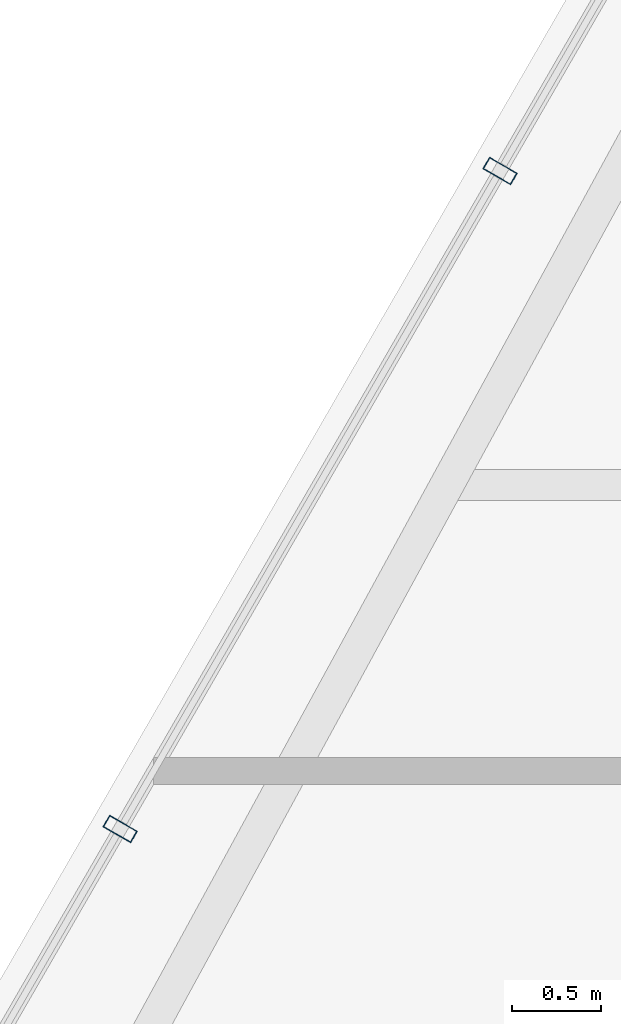
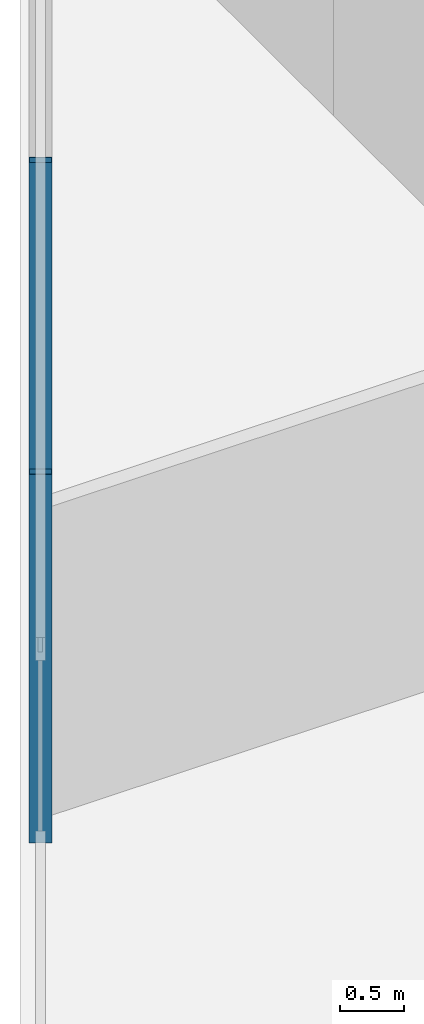
# One storey, part 4 of 34: 2 members, 1 element without a shape of its own.
"""IFC4 building model written with IfcOpenShell, lengths in metres."""

from ifc_helpers import new_model, si_unit, direction, frame, origin, origin_2d, place, context, subcontext, project, spatial, hollow_rectangle, extrude, material, layer, layer_set, material_profile, profile_set, type_object, element, aggregate, save


model = new_model("IFC4")

# Units and contexts
model_context = context("Model", 3, precision=1e-05, world=origin(), true_north=direction((0.0, 1.0)))
body_context = subcontext(model_context, "Body", "Model", "MODEL_VIEW")
ifc_project = project(units=[si_unit("LENGTHUNIT", "METRE"), si_unit("AREAUNIT", "SQUARE_METRE"), si_unit("VOLUMEUNIT", "CUBIC_METRE"), si_unit("PLANEANGLEUNIT", "RADIAN"), si_unit("MASSUNIT", "GRAM", prefix="KILO")], contexts=[model_context])

# Site, building, storey
site_placement = place(None, origin())
site = spatial("IfcSite", under=ifc_project, at=site_placement, CompositionType="ELEMENT")
building_placement = place(site_placement, origin())
building = spatial("IfcBuilding", under=site, at=building_placement, Name="Ndaravel Arena Tower", CompositionType="ELEMENT")
storey_placement = place(building_placement, frame((0.0, 0.0, 199.199951171875)))
storey = spatial("IfcBuildingStorey", under=building, at=storey_placement, Name="L48", CompositionType="ELEMENT", Elevation=199.199951171875)

# Curtain wall, members
ifc_material_1 = material(Name="Aluminium", Category="aluminium")
ifc_layer = layer(ifc_material_1, 0.179931640625)
ifc_layer_set = layer_set([ifc_layer], Name="Aluminium")
curtain_wall_type = type_object("IfcCurtainWallType", Name="CW-SYS-03", PredefinedType="NOTDEFINED", material=ifc_layer_set)
curtain_wall_placement = place(storey_placement, origin())
curtain_wall = element("IfcCurtainWall", 1, at=curtain_wall_placement, inside=storey, type_object=curtain_wall_type, Name="L48 Faceted Crystal Curtain Wall CW-L48-E05", PredefinedType="NOTDEFINED")
ifc_material_2 = material(Name="Aluminium", Category="aluminium")
ifc_material_profile = material_profile(ifc_material_2, hollow_rectangle(XDim=0.074951171875, YDim=0.179931640625, WallThickness=0.00390625, at=origin_2d()), Name="CW MULLION 75x180x4")
ifc_profile_set = profile_set([ifc_material_profile], Name="Aluminium")
member_type = type_object("IfcMemberType", Name="MEM-CW-MUL180", PredefinedType="MULLION", material=ifc_profile_set)
member_1_placement = place(storey_placement, frame((22.59912109375, 20.356689453125, 0.0), z_axis=(0.0, 0.0, 1.0), x_axis=(-0.5, -0.866025403784, 0.0)))
member_1 = element("IfcMember", 2, at=member_1_placement, type_object=member_type, Name="CW-L48-E05 Mullion 07", PredefinedType="MULLION", context=body_context, shape_type="SweptSolid", body=[
    extrude(hollow_rectangle(XDim=0.074951171875, YDim=0.179931640625, WallThickness=0.00390625, at=origin_2d()), origin(), (0.0, 0.0, 1.0), 3.52001953125),
])
member_2_placement = place(storey_placement, frame((20.4736328125, 16.67529296875, 0.0), z_axis=(0.0, 0.0, 1.0), x_axis=(-0.5, -0.866025403784, 0.0)))
member_2 = element("IfcMember", 3, at=member_2_placement, type_object=member_type, Name="CW-L48-E05 Mullion 08", PredefinedType="MULLION", context=body_context, shape_type="SweptSolid", body=[
    extrude(hollow_rectangle(XDim=0.074951171875, YDim=0.179931640625, WallThickness=0.00390625, at=origin_2d()), origin(), (0.0, 0.0, 1.0), 3.52001953125),
])
aggregate(curtain_wall, [member_1, member_2])

save(model, "model.ifc")
